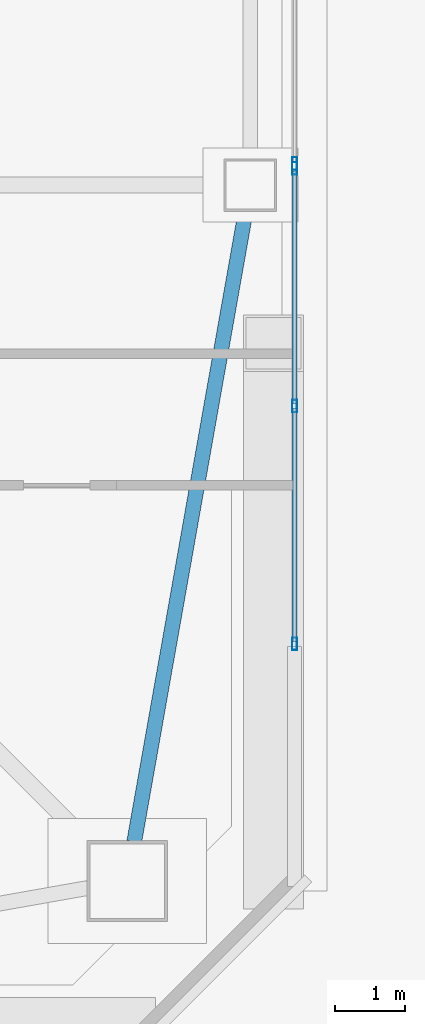
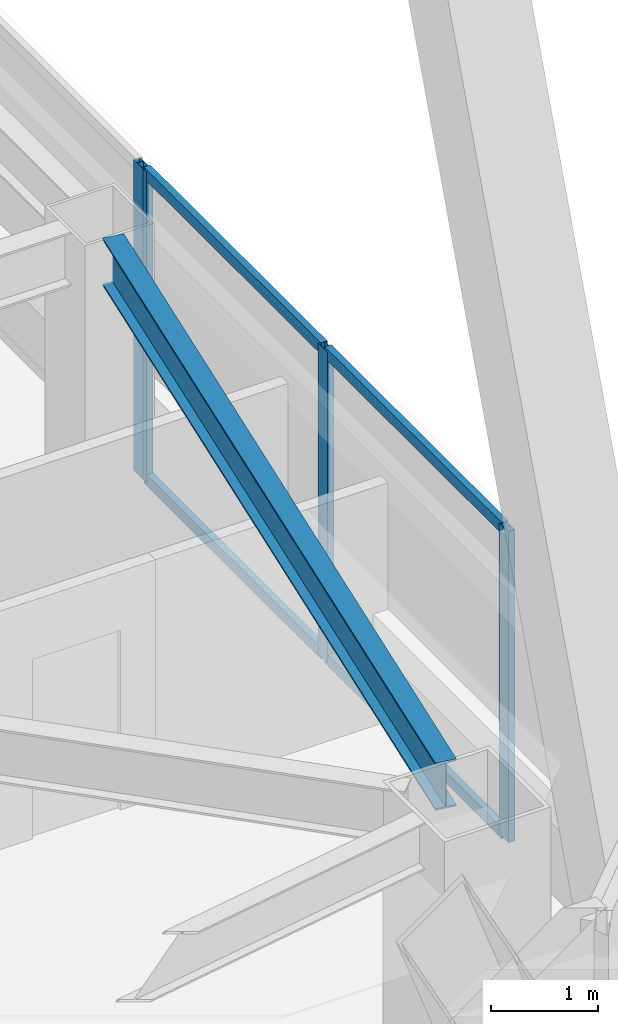
# One storey, part 15 of 65: 8 members, 1 beam, 2 elements without a shape of their own.
"""IFC4 building model written with IfcOpenShell, lengths in metres."""

from ifc_helpers import new_model, si_unit, direction, frame, origin, origin_2d, place, context, subcontext, project, spatial, hollow_rectangle, i_section, extrude, material, material_profile, profile_set, type_object, element, aggregate, save


model = new_model("IFC4")

# Units and contexts
model_context = context("Model", 3, precision=1e-05, world=origin(), true_north=direction((0.0, 1.0)))
body_context = subcontext(model_context, "Body", "Model", "MODEL_VIEW")
ifc_project = project(units=[si_unit("LENGTHUNIT", "METRE"), si_unit("AREAUNIT", "SQUARE_METRE"), si_unit("VOLUMEUNIT", "CUBIC_METRE"), si_unit("PLANEANGLEUNIT", "RADIAN"), si_unit("MASSUNIT", "GRAM", prefix="KILO")], contexts=[model_context])

# Site, building, storey
site_placement = place(None, origin())
site = spatial("IfcSite", under=ifc_project, at=site_placement, CompositionType="ELEMENT")
building_placement = place(site_placement, origin())
building = spatial("IfcBuilding", under=site, at=building_placement, Name="Tashvorn Skyway Center", CompositionType="ELEMENT")
storey_placement = place(building_placement, frame((0.0, 0.0, 157.0)))
storey = spatial("IfcBuildingStorey", under=building, at=storey_placement, Name="L42", CompositionType="ELEMENT", Elevation=157.0)

# Beam
ifc_material_1 = material(Name="Steel ASTM A992 Grade 50", Category="steel")
ifc_material_profile_1 = material_profile(ifc_material_1, i_section(OverallWidth=0.2109375, OverallDepth=0.5390625, WebThickness=0.01171875, FlangeThickness=0.018798828125, at=origin_2d()), Name="W21X73")
ifc_profile_set_1 = profile_set([ifc_material_profile_1], Name="Steel ASTM A992 Grade 50")
beam_type = type_object("IfcBeamType", Name="BM-SPANDREL-W21X73", PredefinedType="SPANDREL", material=ifc_profile_set_1)
beam_placement = place(storey_placement, frame((57.399169921875, 17.26123046875, 3.1005859375), z_axis=(0.174074160933, 0.984732545667, 0.0), x_axis=(-0.984732545667, 0.174074160933, 0.0)))
element("IfcBeam", 1, at=beam_placement, inside=storey, type_object=beam_type, Name="Tower 1 L42 Spandrel Beam 04", PredefinedType="SPANDREL", context=body_context, shape_type="SweptSolid", body=[
    extrude(i_section(OverallWidth=0.2109375, OverallDepth=0.5390625, WebThickness=0.01171875, FlangeThickness=0.018798828125, at=origin_2d()), origin(), (0.0, 0.0, 1.0), 9.113525390625),
])

# Curtain wall, member
ifc_material_2 = material(Name="Thermally broken bronze-anodized aluminium 6063-T6", Category="aluminium")
curtain_wall_type = type_object("IfcCurtainWallType", Name="CW-CW-Z4", PredefinedType="NOTDEFINED", material=ifc_material_2)
curtain_wall_1_placement = place(storey_placement, origin())
curtain_wall_1 = element("IfcCurtainWall", 2, at=curtain_wall_1_placement, inside=storey, type_object=curtain_wall_type, Name="Tower 1 L42 East Unitised Curtain Wall Glazing Group 2", PredefinedType="NOTDEFINED")
ifc_material_profile_2 = material_profile(ifc_material_2, hollow_rectangle(XDim=0.070068359375, YDim=0.179931640625, WallThickness=0.00390625, at=origin_2d()), Name="ALU-MULL-70x180")
ifc_profile_set_2 = profile_set([ifc_material_profile_2], Name="Thermally broken bronze-anodized aluminium 6063-T6")
member_type_1 = type_object("IfcMemberType", Name="CWM-CW-Z4", PredefinedType="MULLION", material=ifc_profile_set_2)
member_1_placement = place(storey_placement, frame((59.679931640625, 26.908203125, 0.0), z_axis=(0.0, 0.0, 1.0), x_axis=(1.0, 0.0, 0.0)))
member_1 = element("IfcMember", 3, at=member_1_placement, type_object=member_type_1, Name="CW-Z4 mullion 2", PredefinedType="MULLION", context=body_context, shape_type="SweptSolid", body=[
    extrude(hollow_rectangle(XDim=0.070068359375, YDim=0.179931640625, WallThickness=0.00390625, at=origin_2d()), origin(), (0.0, 0.0, 1.0), 3.550048828125),
])
aggregate(curtain_wall_1, [member_1])

# Curtain wall, members
curtain_wall_2_placement = place(storey_placement, origin())
curtain_wall_2 = element("IfcCurtainWall", 4, at=curtain_wall_2_placement, inside=storey, type_object=curtain_wall_type, Name="Tower 1 L42 East Unitised Curtain Wall Glazing Group 3", PredefinedType="NOTDEFINED")
member_2_placement = place(storey_placement, frame((59.679931640625, 26.83837890625, 0.0), z_axis=(0.0, 0.0, 1.0), x_axis=(1.0, 0.0, 0.0)))
member_2 = element("IfcMember", 5, at=member_2_placement, type_object=member_type_1, Name="CW-Z4 mullion 1", PredefinedType="MULLION", context=body_context, shape_type="SweptSolid", body=[
    extrude(hollow_rectangle(XDim=0.070068359375, YDim=0.179931640625, WallThickness=0.00390625, at=origin_2d()), origin(), (0.0, 0.0, 1.0), 3.550048828125),
])
member_3_placement = place(storey_placement, frame((59.679931640625, 23.45556640625, 0.0), z_axis=(0.0, 0.0, 1.0), x_axis=(1.0, 0.0, 0.0)))
member_3 = element("IfcMember", 6, at=member_3_placement, type_object=member_type_1, Name="CW-Z4 mullion 2", PredefinedType="MULLION", context=body_context, shape_type="SweptSolid", body=[
    extrude(hollow_rectangle(XDim=0.070068359375, YDim=0.179931640625, WallThickness=0.00390625, at=origin_2d()), origin(), (0.0, 0.0, 1.0), 3.550048828125),
])
member_4_placement = place(storey_placement, frame((59.679931640625, 20.07275390625, 0.0), z_axis=(0.0, 0.0, 1.0), x_axis=(1.0, 0.0, 0.0)))
member_4 = element("IfcMember", 7, at=member_4_placement, type_object=member_type_1, Name="CW-Z4 mullion 3", PredefinedType="MULLION", context=body_context, shape_type="SweptSolid", body=[
    extrude(hollow_rectangle(XDim=0.070068359375, YDim=0.179931640625, WallThickness=0.00390625, at=origin_2d()), origin(), (0.0, 0.0, 1.0), 3.550048828125),
])
ifc_material_profile_3 = material_profile(ifc_material_2, hollow_rectangle(XDim=0.070068359375, YDim=0.1298828125, WallThickness=0.00390625, at=origin_2d()), Name="ALU-TRAN-70x130")
ifc_profile_set_3 = profile_set([ifc_material_profile_3], Name="Thermally broken bronze-anodized aluminium 6063-T6")
member_type_2 = type_object("IfcMemberType", Name="CWT-CW-Z4", PredefinedType="USERDEFINED", material=ifc_profile_set_3)
member_5_placement = place(storey_placement, frame((59.679931640625, 26.80322265625, 0.034912109375), z_axis=(0.0, -1.0, 0.0), x_axis=(1.0, 0.0, 0.0)))
member_5 = element("IfcMember", 8, at=member_5_placement, type_object=member_type_2, Name="CW-Z4 transom 1.1", ObjectType="TRANSOM", PredefinedType="USERDEFINED", context=body_context, shape_type="SweptSolid", body=[
    extrude(hollow_rectangle(XDim=0.070068359375, YDim=0.1298828125, WallThickness=0.00390625, at=origin_2d()), origin(), (0.0, 0.0, 1.0), 3.312744140625),
])
member_6_placement = place(storey_placement, frame((59.679931640625, 26.80322265625, 3.514892578125), z_axis=(0.0, -1.0, 0.0), x_axis=(1.0, 0.0, 0.0)))
member_6 = element("IfcMember", 9, at=member_6_placement, type_object=member_type_2, Name="CW-Z4 transom 1.2", ObjectType="TRANSOM", PredefinedType="USERDEFINED", context=body_context, shape_type="SweptSolid", body=[
    extrude(hollow_rectangle(XDim=0.070068359375, YDim=0.1298828125, WallThickness=0.00390625, at=origin_2d()), origin(), (0.0, 0.0, 1.0), 3.312744140625),
])
member_7_placement = place(storey_placement, frame((59.679931640625, 23.420654296875, 0.034912109375), z_axis=(0.0, -1.0, 0.0), x_axis=(1.0, 0.0, 0.0)))
member_7 = element("IfcMember", 10, at=member_7_placement, type_object=member_type_2, Name="CW-Z4 transom 2.1", ObjectType="TRANSOM", PredefinedType="USERDEFINED", context=body_context, shape_type="SweptSolid", body=[
    extrude(hollow_rectangle(XDim=0.070068359375, YDim=0.1298828125, WallThickness=0.00390625, at=origin_2d()), origin(), (0.0, 0.0, 1.0), 3.312744140625),
])
member_8_placement = place(storey_placement, frame((59.679931640625, 23.420654296875, 3.514892578125), z_axis=(0.0, -1.0, 0.0), x_axis=(1.0, 0.0, 0.0)))
member_8 = element("IfcMember", 11, at=member_8_placement, type_object=member_type_2, Name="CW-Z4 transom 2.2", ObjectType="TRANSOM", PredefinedType="USERDEFINED", context=body_context, shape_type="SweptSolid", body=[
    extrude(hollow_rectangle(XDim=0.070068359375, YDim=0.1298828125, WallThickness=0.00390625, at=origin_2d()), origin(), (0.0, 0.0, 1.0), 3.312744140625),
])
aggregate(curtain_wall_2, [member_2, member_3, member_4, member_5, member_6, member_7, member_8])

save(model, "model.ifc")
